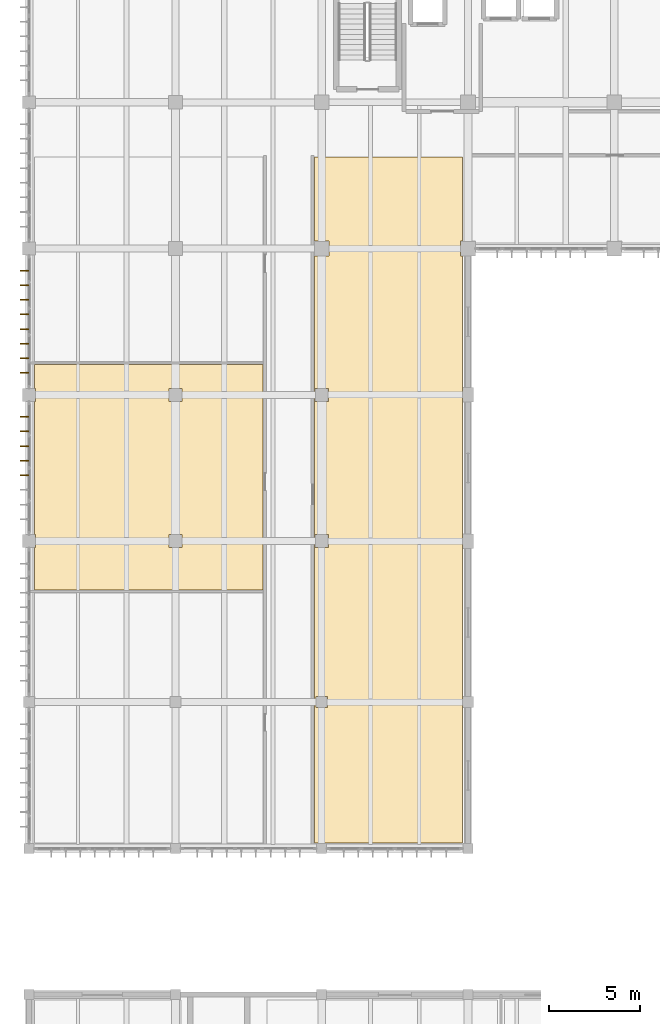
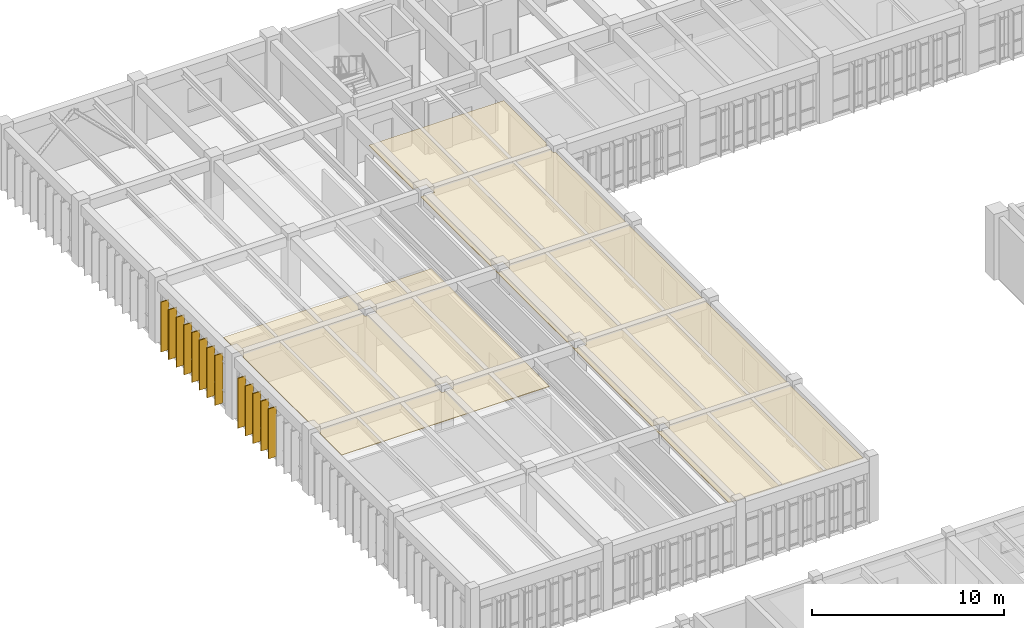
# One storey, part 56 of 67: 13 shading devices, 2 coverings.
"""IFC4 building model written with IfcOpenShell, lengths in metres."""

from ifc_helpers import new_model, si_unit, direction, frame, origin, origin_2d, place, context, subcontext, project, spatial, polyline, rectangle, outline, extrude, material, layer, layer_set, type_object, element, save


model = new_model("IFC4")

# Units and contexts
model_context = context("Model", 3, precision=1e-05, world=origin(), true_north=direction((0.0, 1.0)))
body_context = subcontext(model_context, "Body", "Model", "MODEL_VIEW")
ifc_project = project(units=[si_unit("LENGTHUNIT", "METRE"), si_unit("AREAUNIT", "SQUARE_METRE"), si_unit("VOLUMEUNIT", "CUBIC_METRE"), si_unit("PLANEANGLEUNIT", "RADIAN"), si_unit("MASSUNIT", "GRAM", prefix="KILO")], contexts=[model_context])

# Site, building, storey
site_placement = place(None, origin())
site = spatial("IfcSite", under=ifc_project, at=site_placement, CompositionType="ELEMENT")
building_placement = place(site_placement, origin())
building = spatial("IfcBuilding", under=site, at=building_placement, Name="Tlaxcora Railside Police Headquarters", CompositionType="ELEMENT")
storey_placement = place(building_placement, frame((0.0, 0.0, 4.800048828125)))
storey = spatial("IfcBuildingStorey", under=building, at=storey_placement, Name="L01", CompositionType="ELEMENT", Elevation=4.800048828125)

# Coverings
ifc_material_1 = material(Name="Mineral-fibre acoustic ceiling tile")
ifc_layer_1 = layer(ifc_material_1, 0.034912109375, Name="Mineral-fibre acoustic ceiling tile")
ifc_layer_set_1 = layer_set([ifc_layer_1], Name="Mineral-fibre acoustic ceiling tile")
covering_type = type_object("IfcCoveringType", Name="Acoustic Suspended Ceiling CLG-01", PredefinedType="CEILING", material=ifc_layer_set_1)
covering_1_placement = place(storey_placement, frame((0.0, 0.0, 3.764892578125)))
element("IfcCovering", 1, at=covering_1_placement, inside=storey, type_object=covering_type, Name="Victim Liaison Interview Rooms suspended ceiling", PredefinedType="CEILING", context=body_context, shape_type="SweptSolid", body=[
    extrude(outline(polyline([(5.56005859375, 61.159912109375), (5.56005859375, 60.43994140625), (5.5, 60.43994140625), (5.5, 58.1298828125), (18.0, 58.1298828125), (18.0, 70.469970703125), (5.5, 70.469970703125), (5.5, 69.159912109375), (5.56005859375, 69.159912109375), (5.56005859375, 68.43994140625), (5.5, 68.43994140625), (5.5, 61.159912109375), (5.56005859375, 61.159912109375)]), holes=[polyline([(13.56005859375, 61.159912109375), (13.56005859375, 60.43994140625), (12.840087890625, 60.43994140625), (12.840087890625, 61.159912109375), (13.56005859375, 61.159912109375)]), polyline([(13.56005859375, 68.43994140625), (12.840087890625, 68.43994140625), (12.840087890625, 69.159912109375), (13.56005859375, 69.159912109375), (13.56005859375, 68.43994140625)])]), origin(), (0.0, 0.0, 1.0), 0.03515625),
])
covering_2_placement = place(storey_placement, frame((0.0, 0.0, 3.764892578125)))
element("IfcCovering", 2, at=covering_2_placement, inside=storey, type_object=covering_type, Name="Court-Side Case Team Room L01 suspended ceiling", PredefinedType="CEILING", context=body_context, shape_type="SweptSolid", body=[
    extrude(outline(polyline([(21.610107421875, 77.2099609375), (21.610107421875, 76.389892578125), (20.800048828125, 76.389892578125), (20.800048828125, 44.300048828125), (28.89990234375, 44.300048828125), (28.89990234375, 51.68994140625), (28.889892578125, 51.68994140625), (28.889892578125, 52.31005859375), (28.89990234375, 52.31005859375), (28.89990234375, 60.389892578125), (28.889892578125, 60.389892578125), (28.889892578125, 61.2099609375), (28.89990234375, 61.2099609375), (28.89990234375, 68.389892578125), (28.889892578125, 68.389892578125), (28.889892578125, 69.2099609375), (28.89990234375, 69.2099609375), (28.89990234375, 76.389892578125), (28.7900390625, 76.389892578125), (28.7900390625, 77.2099609375), (28.89990234375, 77.2099609375), (28.89990234375, 81.800048828125), (20.800048828125, 81.800048828125), (20.800048828125, 77.2099609375), (21.610107421875, 77.2099609375)]), holes=[polyline([(20.889892578125, 51.68994140625), (20.889892578125, 52.31005859375), (21.510009765625, 52.31005859375), (21.510009765625, 51.68994140625), (20.889892578125, 51.68994140625)]), polyline([(20.840087890625, 61.159912109375), (21.56005859375, 61.159912109375), (21.56005859375, 60.43994140625), (20.840087890625, 60.43994140625), (20.840087890625, 61.159912109375)]), polyline([(21.56005859375, 69.159912109375), (21.56005859375, 68.43994140625), (20.840087890625, 68.43994140625), (20.840087890625, 69.159912109375), (21.56005859375, 69.159912109375)])]), origin(), (0.0, 0.0, 1.0), 0.03515625),
])

# Shading devices
ifc_material_2 = material(Name="Anodised aluminium framing", Category="aluminium")
ifc_layer_2 = layer(ifc_material_2, 0.054931640625, Name="Anodised aluminium framing")
ifc_layer_set_2 = layer_set([ifc_layer_2], Name="Anodised aluminium framing")
shading_device_type = type_object("IfcShadingDeviceType", Name="Solar Control Fin SF-01", PredefinedType="JALOUSIE", material=ifc_layer_set_2)
for number, where, z_axis, x_axis, name in (
    (3, (4.93994140625, 75.60009765625, 0.0400390625), (0.0, 0.0, 1.0), (-1.0, 0.0, 0.0), "Vertical solar fin 106"),
    (4, (4.93994140625, 74.800048828125, 0.0400390625), (0.0, 0.0, 1.0), (-1.0, 0.0, 0.0), "Vertical solar fin 107"),
    (5, (4.93994140625, 74.0, 0.0400390625), (0.0, 0.0, 1.0), (-1.0, 0.0, 0.0), "Vertical solar fin 108"),
    (6, (4.93994140625, 73.199951171875, 0.0400390625), (0.0, 0.0, 1.0), (-1.0, 0.0, 0.0), "Vertical solar fin 109"),
    (7, (4.93994140625, 72.39990234375, 0.0400390625), (0.0, 0.0, 1.0), (-1.0, 0.0, 0.0), "Vertical solar fin 110"),
    (8, (4.93994140625, 71.60009765625, 0.0400390625), (0.0, 0.0, 1.0), (-1.0, 0.0, 0.0), "Vertical solar fin 111"),
    (9, (4.93994140625, 70.800048828125, 0.0400390625), (0.0, 0.0, 1.0), (-1.0, 0.0, 0.0), "Vertical solar fin 112"),
    (10, (4.93994140625, 70.0, 0.0400390625), (0.0, 0.0, 1.0), (-1.0, 0.0, 0.0), "Vertical solar fin 113"),
    (11, (4.93994140625, 67.60009765625, 0.0400390625), (0.0, 0.0, 1.0), (-1.0, 0.0, 0.0), "Vertical solar fin 114"),
    (12, (4.93994140625, 66.800048828125, 0.0400390625), (0.0, 0.0, 1.0), (-1.0, 0.0, 0.0), "Vertical solar fin 115"),
    (13, (4.93994140625, 66.0, 0.0400390625), (0.0, 0.0, 1.0), (-1.0, 0.0, 0.0), "Vertical solar fin 116"),
    (14, (4.93994140625, 65.199951171875, 0.0400390625), (0.0, 0.0, 1.0), (-1.0, 0.0, 0.0), "Vertical solar fin 117"),
    (15, (4.93994140625, 64.39990234375, 0.0400390625), (0.0, 0.0, 1.0), (-1.0, 0.0, 0.0), "Vertical solar fin 118"),
):
    element("IfcShadingDevice", number, at=place(storey_placement, frame(where, z_axis=z_axis, x_axis=x_axis)), inside=storey, type_object=shading_device_type, Name=name, PredefinedType="JALOUSIE", context=body_context, shape_type="SweptSolid", body=[
        extrude(rectangle(XDim=0.47998046875, YDim=0.054931640625, at=origin_2d()), origin(), (0.0, 0.0, 1.0), 3.179931640625),
    ])

save(model, "model.ifc")
